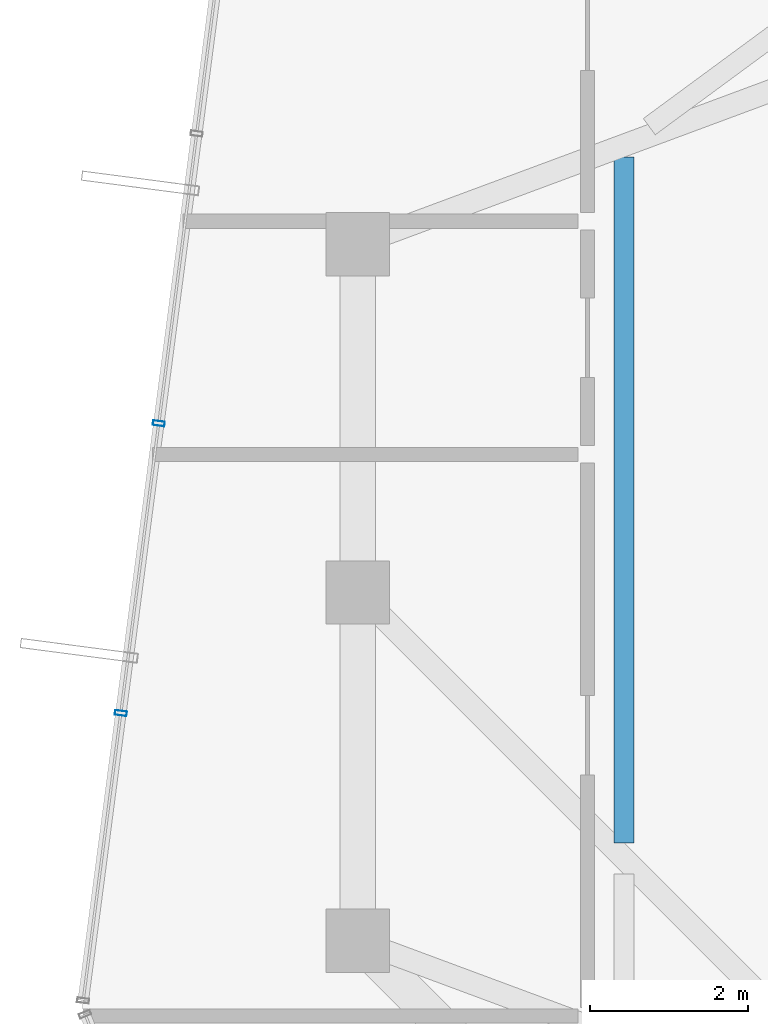
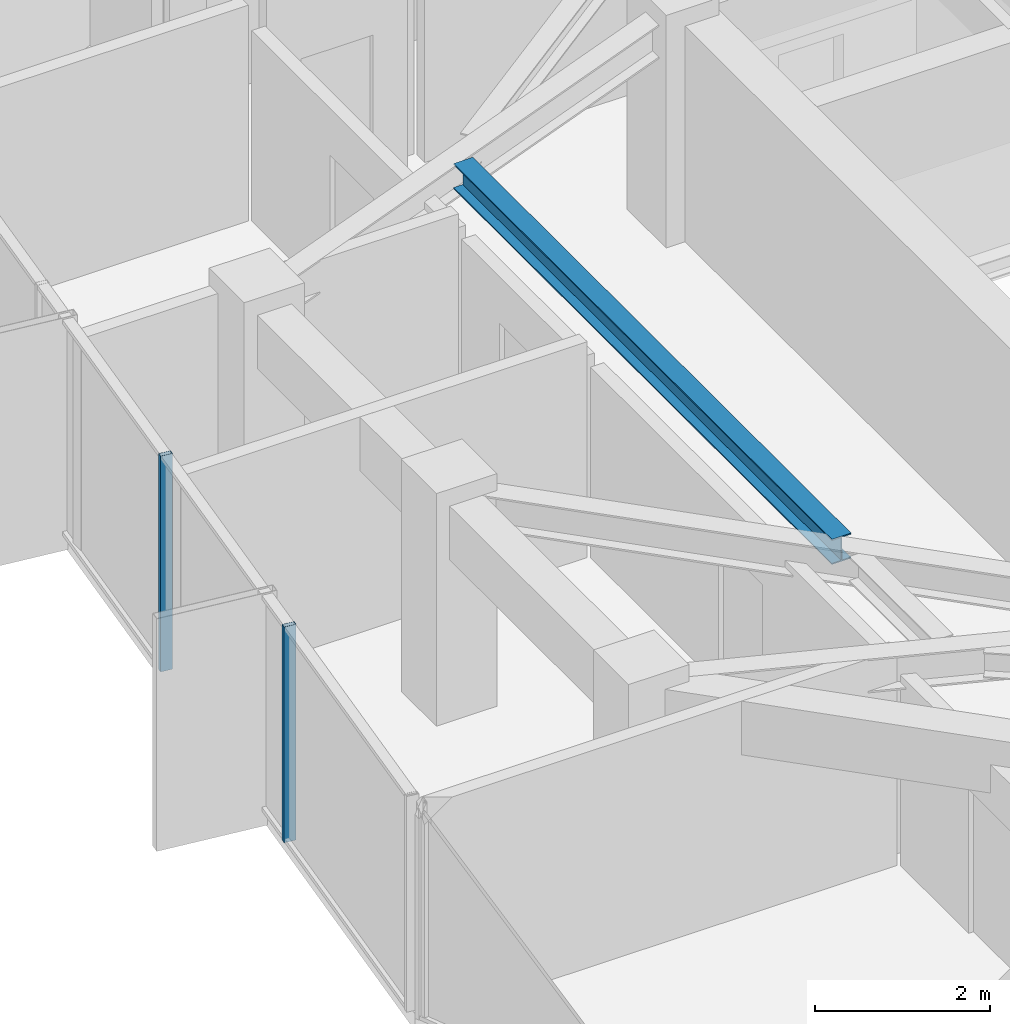
# One storey, part 12 of 31: 2 members, 1 beam, 1 element without a shape of its own.
"""IFC4 building model written with IfcOpenShell, lengths in metres."""

from ifc_helpers import new_model, si_unit, direction, frame, origin, origin_2d, place, context, subcontext, project, spatial, hollow_rectangle, i_section, extrude, source, transform, mapped, material, layer, layer_set, material_profile, profile_set, type_object, element, aggregate, save


model = new_model("IFC4")

# Units and contexts
model_context = context("Model", 3, precision=1e-05, world=origin(), true_north=direction((0.0, 1.0)))
body_context = subcontext(model_context, "Body", "Model", "MODEL_VIEW")
ifc_project = project(units=[si_unit("LENGTHUNIT", "METRE"), si_unit("AREAUNIT", "SQUARE_METRE"), si_unit("VOLUMEUNIT", "CUBIC_METRE"), si_unit("PLANEANGLEUNIT", "RADIAN"), si_unit("MASSUNIT", "GRAM", prefix="KILO")], contexts=[model_context])

# Site, building, storey
site_placement = place(None, origin())
site = spatial("IfcSite", under=ifc_project, at=site_placement, CompositionType="ELEMENT")
building_placement = place(site_placement, origin())
building = spatial("IfcBuilding", under=site, at=building_placement, Name="Veraguas Prism Commons", CompositionType="ELEMENT")
storey_placement = place(building_placement, frame((0.0, 0.0, 233.300048828125)))
storey = spatial("IfcBuildingStorey", under=building, at=storey_placement, Name="L66", CompositionType="ELEMENT", Elevation=233.300048828125)

# Beam
ifc_material_1 = material(Name="Steel ASTM A992 Grade 50", Category="steel")
ifc_material_profile_1 = material_profile(ifc_material_1, i_section(OverallWidth=0.25390625, OverallDepth=0.35302734375, WebThickness=0.009521484375, FlangeThickness=0.016357421875, at=origin_2d()), Name="W360X91")
ifc_profile_set_1 = profile_set([ifc_material_profile_1], Name="Steel ASTM A992 Grade 50")
beam_type = type_object("IfcBeamType", Name="Upper Floor Joist W360x91", PredefinedType="JOIST", material=ifc_profile_set_1)
beam_placement = place(storey_placement, frame((13.56005859375, 29.499267578125, 2.83837890625), z_axis=(0.0, -1.0, 0.0), x_axis=(1.0, 0.0, 0.0)))
element("IfcBeam", 1, at=beam_placement, inside=storey, type_object=beam_type, Name="Composite Floor Joist L66-JS07", PredefinedType="JOIST", context=body_context, shape_type="SweptSolid", body=[
    extrude(i_section(OverallWidth=0.25390625, OverallDepth=0.35302734375, WebThickness=0.009521484375, FlangeThickness=0.016357421875, at=origin_2d()), origin(), (0.0, 0.0, 1.0), 8.661865234375),
])

# Curtain wall, members
ifc_material_2 = material(Name="Anodised aluminium EN AW-6063 T6", Category="aluminium")
ifc_layer = layer(ifc_material_2, 0.14990234375, Name="Unitised Flush Curtain Wall Zone 4", Category="aluminium")
ifc_layer_set = layer_set([ifc_layer], Name="Anodised aluminium EN AW-6063 T6")
curtain_wall_type = type_object("IfcCurtainWallType", Name="Unitised Flush Curtain Wall Zone 4", PredefinedType="NOTDEFINED", material=ifc_layer_set)
curtain_wall_placement = place(storey_placement, origin())
curtain_wall = element("IfcCurtainWall", 2, at=curtain_wall_placement, inside=storey, type_object=curtain_wall_type, Name="Tower Facade Curtain Wall L66-F3", PredefinedType="NOTDEFINED")
ifc_material_profile_2 = material_profile(ifc_material_2, hollow_rectangle(XDim=0.06005859375, YDim=0.14990234375, WallThickness=0.0029296875, at=origin_2d()), Name="AL60X150X3")
ifc_profile_set_2 = profile_set([ifc_material_profile_2], Name="Anodised aluminium EN AW-6063 T6")
member_type = type_object("IfcMemberType", Name="Curtain Wall Mullion Upper AL 60x150x3", PredefinedType="MULLION", material=ifc_profile_set_2)
shared_shape = source(origin(), body_context, "Body", "SweptSolid", [
    extrude(hollow_rectangle(XDim=0.06005859375, YDim=0.14990234375, WallThickness=0.0029296875, at=origin_2d()), origin(), (0.0, 0.0, 1.0), 3.014892578125),
])
member_1_placement = place(storey_placement, frame((7.684814453125, 26.13623046875, 0.0), z_axis=(0.0, 0.0, 1.0), x_axis=(-0.129835731937, -0.991535517625, 0.0)))
member_1 = element("IfcMember", 3, at=member_1_placement, type_object=member_type, Name="CW-Z4 Mullion 3", PredefinedType="MULLION", context=body_context, shape_type="MappedRepresentation", body=[
    mapped(shared_shape, transform((0.0, 0.0, 0.0), scale=1.0)),
])
member_2_placement = place(storey_placement, frame((7.20556640625, 22.47607421875, 0.0), z_axis=(0.0, 0.0, 1.0), x_axis=(-0.129835731937, -0.991535517625, 0.0)))
member_2 = element("IfcMember", 4, at=member_2_placement, type_object=member_type, Name="CW-Z4 Mullion 4", PredefinedType="MULLION", context=body_context, shape_type="MappedRepresentation", body=[
    mapped(shared_shape, transform((0.0, 0.0, 0.0), scale=1.0)),
])
aggregate(curtain_wall, [member_1, member_2])

save(model, "model.ifc")
